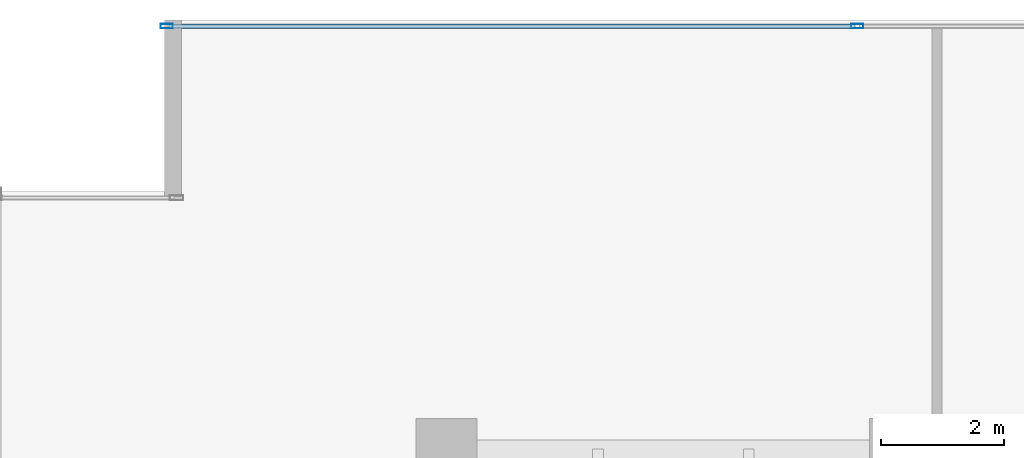
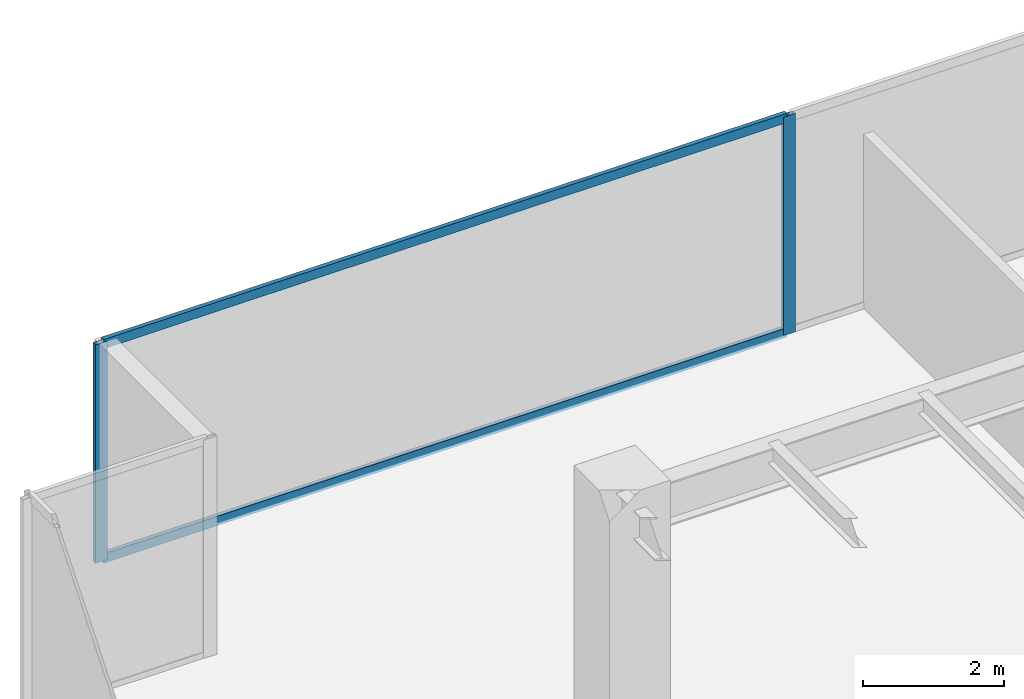
# One storey, part 15 of 35: 4 members, 1 element without a shape of its own.
"""IFC4 building model written with IfcOpenShell, lengths in metres."""

from ifc_helpers import new_model, si_unit, direction, frame, origin, origin_2d, place, context, subcontext, project, spatial, hollow_rectangle, extrude, source, transform, mapped, material, layer, layer_set, material_profile, profile_set, type_object, type_shapes, element, aggregate, save


model = new_model("IFC4")

# Units and contexts
model_context = context("Model", 3, precision=1e-05, world=origin(), true_north=direction((0.0, 1.0)))
body_context = subcontext(model_context, "Body", "Model", "MODEL_VIEW")
ifc_project = project(units=[si_unit("LENGTHUNIT", "METRE"), si_unit("AREAUNIT", "SQUARE_METRE"), si_unit("VOLUMEUNIT", "CUBIC_METRE"), si_unit("PLANEANGLEUNIT", "RADIAN"), si_unit("MASSUNIT", "GRAM", prefix="KILO")], contexts=[model_context])

# Site, building, storey
site_placement = place(None, origin())
site = spatial("IfcSite", under=ifc_project, at=site_placement, CompositionType="ELEMENT")
building_placement = place(site_placement, origin())
building = spatial("IfcBuilding", under=site, at=building_placement, Name="Haelvirn Gate Laboratories", CompositionType="ELEMENT")
storey_placement = place(building_placement, frame((0.0, 0.0, 70.300048828125)))
storey = spatial("IfcBuildingStorey", under=building, at=storey_placement, Name="L17", CompositionType="ELEMENT", Elevation=70.300048828125)

# Curtain wall, members
ifc_material_1 = material(Name="Anodised bronze unitised aluminium & triple low-E glass", Category="aluminium")
ifc_layer = layer(ifc_material_1, 0.18408203125, Name="CW-SYS-2")
ifc_layer_set = layer_set([ifc_layer], Name="Anodised bronze unitised aluminium & triple low-E glass")
curtain_wall_type = type_object("IfcCurtainWallType", Name="CW-SYS-2", PredefinedType="NOTDEFINED", material=ifc_layer_set)
curtain_wall_placement = place(storey_placement, origin())
curtain_wall = element("IfcCurtainWall", 1, at=curtain_wall_placement, inside=storey, type_object=curtain_wall_type, Name="L17 Unitised Curtain Wall CW-L17-P0-E14-1", PredefinedType="NOTDEFINED")
ifc_material_2 = material(Name="Extruded aluminium 6063-T6 (anodised bronze)", Category="aluminium")
ifc_material_profile_1 = material_profile(ifc_material_2, hollow_rectangle(XDim=0.074951171875, YDim=0.199951171875, WallThickness=0.0048828125, at=origin_2d()), Name="CWM-200x75x5")
ifc_profile_set_1 = profile_set([ifc_material_profile_1], Name="Extruded aluminium 6063-T6 (anodised bronze)")
member_type_1 = type_object("IfcMemberType", Name="CWM-T200", PredefinedType="MULLION", material=ifc_profile_set_1)
shared_shape_1 = source(origin(), body_context, "Body", "SweptSolid", [
    extrude(hollow_rectangle(XDim=0.074951171875, YDim=0.199951171875, WallThickness=0.0048828125, at=origin_2d()), origin(), (0.0, 0.0, 1.0), 3.780029296875),
])
type_shapes(member_type_1, [shared_shape_1])
member_1_placement = place(storey_placement, frame((2.83740234375, 48.5, 0.0), z_axis=(0.0, 0.0, 1.0), x_axis=(0.0, 1.0, 0.0)))
member_1 = element("IfcMember", 2, at=member_1_placement, type_object=member_type_1, Name="CW2 mullion 1", PredefinedType="MULLION", context=body_context, shape_type="MappedRepresentation", body=[
    mapped(shared_shape_1, transform((0.0, 0.0, 0.0), scale=1.0)),
])
member_2_placement = place(storey_placement, frame((14.10009765625, 48.5, 0.0), z_axis=(0.0, 0.0, 1.0), x_axis=(0.0, 1.0, 0.0)))
member_2 = element("IfcMember", 3, at=member_2_placement, type_object=member_type_1, Name="CW2 mullion 2", PredefinedType="MULLION", context=body_context, shape_type="MappedRepresentation", body=[
    mapped(shared_shape_1, transform((0.0, 0.0, 0.0), scale=1.0)),
])
ifc_material_profile_2 = material_profile(ifc_material_2, hollow_rectangle(XDim=0.070068359375, YDim=0.159912109375, WallThickness=0.0048828125, at=origin_2d()), Name="CWT-160x70x5")
ifc_profile_set_2 = profile_set([ifc_material_profile_2], Name="Extruded aluminium 6063-T6 (anodised bronze)")
member_type_2 = type_object("IfcMemberType", Name="CWT-T160", PredefinedType="USERDEFINED", material=ifc_profile_set_2)
shared_shape_2 = source(origin(), body_context, "Body", "SweptSolid", [
    extrude(hollow_rectangle(XDim=0.070068359375, YDim=0.159912109375, WallThickness=0.0048828125, at=origin_2d()), origin(), (0.0, 0.0, 1.0), 11.1875),
])
type_shapes(member_type_2, [shared_shape_2])
member_3_placement = place(storey_placement, frame((2.875, 48.5, 0.034912109375), z_axis=(1.0, 0.0, 0.0), x_axis=(0.0, 1.0, 0.0)))
member_3 = element("IfcMember", 4, at=member_3_placement, type_object=member_type_2, Name="CW2 transom 1.1", ObjectType="TRANSOM", PredefinedType="USERDEFINED", context=body_context, shape_type="MappedRepresentation", body=[
    mapped(shared_shape_2, transform((0.0, 0.0, 0.0), scale=1.0)),
])
member_4_placement = place(storey_placement, frame((2.875, 48.5, 3.744873046875), z_axis=(1.0, 0.0, 0.0), x_axis=(0.0, 1.0, 0.0)))
member_4 = element("IfcMember", 5, at=member_4_placement, type_object=member_type_2, Name="CW2 transom 1.2", ObjectType="TRANSOM", PredefinedType="USERDEFINED", context=body_context, shape_type="MappedRepresentation", body=[
    mapped(shared_shape_2, transform((0.0, 0.0, 0.0), scale=1.0)),
])
aggregate(curtain_wall, [member_1, member_2, member_3, member_4])

save(model, "model.ifc")
